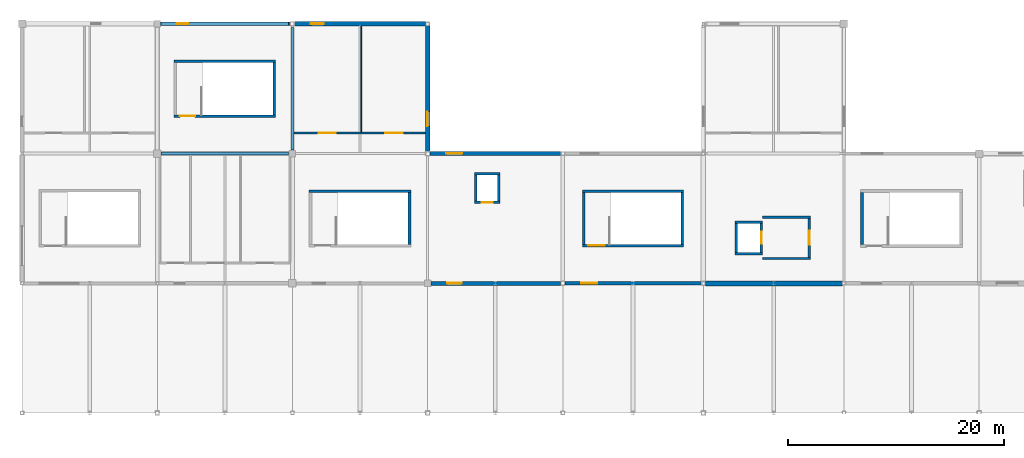
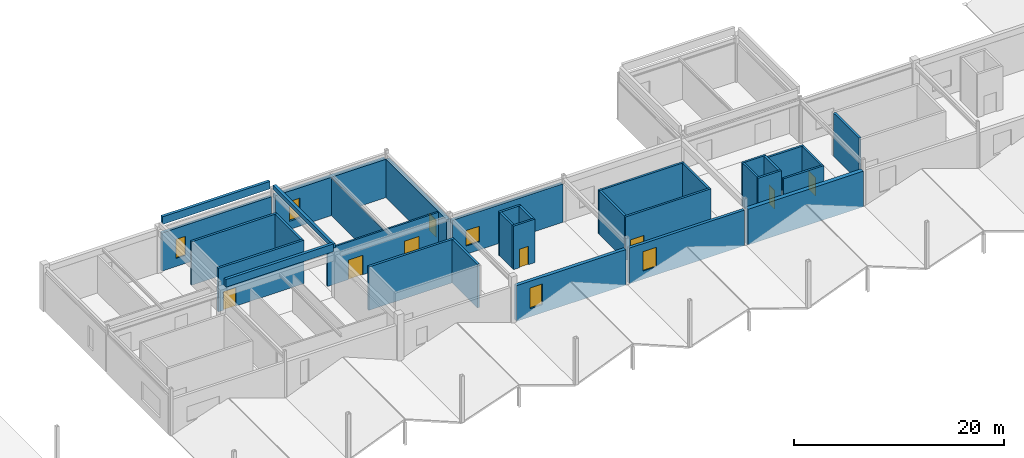
# One storey, part 70 of 76: 33 walls, 7 doors, 6 windows, 13 openings.
"""IFC4 building model written with IfcOpenShell, lengths in metres."""

from ifc_helpers import new_model, si_unit, direction, frame, frame_2d, origin, place, context, subcontext, project, spatial, rectangle, extrude, material, layer, layer_set, type_object, element, fill, save


model = new_model("IFC4")

# Units and contexts
model_context = context("Model", 3, precision=1e-05, world=origin(), true_north=direction((0.0, 1.0)))
body_context = subcontext(model_context, "Body", "Model", "MODEL_VIEW")
ifc_project = project(units=[si_unit("LENGTHUNIT", "METRE"), si_unit("AREAUNIT", "SQUARE_METRE"), si_unit("VOLUMEUNIT", "CUBIC_METRE"), si_unit("PLANEANGLEUNIT", "RADIAN"), si_unit("MASSUNIT", "GRAM", prefix="KILO")], contexts=[model_context])

# Site, building, storey
site_placement = place(None, origin())
site = spatial("IfcSite", under=ifc_project, at=site_placement, CompositionType="ELEMENT")
building_placement = place(site_placement, origin())
building = spatial("IfcBuilding", under=site, at=building_placement, Name="Kazenohara Klinker Stadium", CompositionType="ELEMENT")
storey_placement = place(building_placement, frame((0.0, 0.0, 25.800048828125)))
storey = spatial("IfcBuildingStorey", under=building, at=storey_placement, Name="L05", CompositionType="ELEMENT", Elevation=25.800048828125)

# Wall, opening, door
ifc_material_1 = material(Name="Concrete C40/50", Category="concrete")
ifc_layer_1 = layer(ifc_material_1, 0.22998046875)
ifc_layer_set_1 = layer_set([ifc_layer_1], Name="Concrete C40/50")
wall_type_1 = type_object("IfcWallType", Name="WAL-CORE-230", PredefinedType="SHEAR", material=ifc_layer_set_1)
wall_1_placement = place(storey_placement, frame((100.820068359375, 147.485107421875, 0.0), z_axis=(0.0, 0.0, 1.0), x_axis=(1.0, 0.0, 0.0)))
wall_1 = element("IfcWall", 1, at=wall_1_placement, inside=storey, type_object=wall_type_1, Name="Stairwell shear wall ST10 L05 South", PredefinedType="SHEAR", context=body_context, shape_type="SweptSolid", body=[
    extrude(rectangle(XDim=9.35986328125, YDim=0.22998046875, at=frame_2d((4.679931640625, 0.0))), origin(), (0.0, 0.0, 1.0), 5.0400390625),
])
opening_1_placement = place(wall_1_placement, frame((0.550048828125, 0.0, 0.0)))
opening_1 = element("IfcOpeningElement", 2, at=opening_1_placement, cuts=wall_1, Name="Opening SD02", PredefinedType="OPENING", context=body_context, shape_type="SweptSolid", body=[
    extrude(rectangle(XDim=1.5, YDim=2.199951171875, at=frame_2d((0.75, 1.10009765625))), frame((0.0, 0.125, 0.0), z_axis=(0.0, -1.0, 0.0), x_axis=(1.0, 0.0, 0.0)), (0.0, 0.0, 1.0), 0.25),
])
ifc_material_2 = material(Name="Flush painted steel fire door leaf", Category="steel")
door_type_1 = type_object("IfcDoorType", Name="DR-STR-1500x2200", OperationType="NOTDEFINED", PredefinedType="DOOR", material=ifc_material_2)
door_1_placement = place(opening_1_placement, origin())
door_1 = element("IfcDoor", 3, at=door_1_placement, inside=storey, type_object=door_type_1, Name="Escape stairwell fire door ST10-L05", OperationType="SINGLE_SWING_RIGHT", OverallHeight=2.199951171875, OverallWidth=1.5, PredefinedType="DOOR", context=body_context, shape_type="SweptSolid", body=[
    extrude(rectangle(XDim=1.5, YDim=2.199951171875, at=frame_2d((0.75, 1.10009765625))), frame((0.0, 0.02490234375, 0.0), z_axis=(0.0, -1.0, 0.0), x_axis=(1.0, 0.0, 0.0)), (0.0, 0.0, 1.0), 0.050048828125),
])
fill(opening_1, door_1)

# Walls
wall_2_placement = place(storey_placement, frame((100.820068359375, 152.514892578125, 0.0), z_axis=(0.0, 0.0, 1.0), x_axis=(1.0, 0.0, 0.0)))
element("IfcWall", 4, at=wall_2_placement, inside=storey, type_object=wall_type_1, Name="Stairwell shear wall ST10 L05 North", PredefinedType="SHEAR", context=body_context, shape_type="SweptSolid", body=[
    extrude(rectangle(XDim=9.35986328125, YDim=0.22998046875, at=frame_2d((4.679931640625, 0.0))), origin(), (0.0, 0.0, 1.0), 5.0400390625),
])
for number, where, z_axis, x_axis, name in (
    (5, (100.93505859375, 147.60009765625, 0.0), (0.0, 0.0, 1.0), (0.0, 1.0, 0.0), "Stairwell shear wall ST10 L05 West"),
    (6, (110.06494140625, 147.60009765625, 0.0), (0.0, 0.0, 1.0), (0.0, 1.0, 0.0), "Stairwell shear wall ST10 L05 East"),
):
    element("IfcWall", number, at=place(storey_placement, frame(where, z_axis=z_axis, x_axis=x_axis)), inside=storey, type_object=wall_type_1, Name=name, PredefinedType="SHEAR", context=body_context, shape_type="SweptSolid", body=[
        extrude(rectangle(XDim=4.7998046875, YDim=0.22998046875, at=frame_2d((2.39990234375, 0.0))), origin(), (0.0, 0.0, 1.0), 5.0400390625),
    ])
for number, where, z_axis, x_axis, name in (
    (7, (114.919921875, 146.735107421875, 0.0), (0.0, 0.0, 1.0), (1.0, 0.0, 0.0), "Elevator shaft wall LF04 L05 South"),
    (8, (114.919921875, 149.6650390625, 0.0), (0.0, 0.0, 1.0), (1.0, 0.0, 0.0), "Elevator shaft wall LF04 L05 North"),
):
    element("IfcWall", number, at=place(storey_placement, frame(where, z_axis=z_axis, x_axis=x_axis)), inside=storey, type_object=wall_type_1, Name=name, PredefinedType="SHEAR", context=body_context, shape_type="SweptSolid", body=[
        extrude(rectangle(XDim=2.56005859375, YDim=0.22998046875, at=frame_2d((1.280029296875, 0.0))), origin(), (0.0, 0.0, 1.0), 5.0400390625),
    ])
wall_3_placement = place(storey_placement, frame((115.034912109375, 146.85009765625, 0.0), z_axis=(0.0, 0.0, 1.0), x_axis=(0.0, 1.0, 0.0)))
element("IfcWall", 9, at=wall_3_placement, inside=storey, type_object=wall_type_1, Name="Elevator shaft wall LF04 L05 West", PredefinedType="SHEAR", context=body_context, shape_type="SweptSolid", body=[
    extrude(rectangle(XDim=2.699951171875, YDim=0.22998046875, at=frame_2d((1.35009765625, 0.0))), origin(), (0.0, 0.0, 1.0), 5.0400390625),
])

# Wall, opening, door
wall_4_placement = place(storey_placement, frame((117.364990234375, 146.85009765625, 0.0), z_axis=(0.0, 0.0, 1.0), x_axis=(0.0, 1.0, 0.0)))
wall_4 = element("IfcWall", 10, at=wall_4_placement, inside=storey, type_object=wall_type_1, Name="Elevator shaft wall LF04 L05 East", PredefinedType="SHEAR", context=body_context, shape_type="SweptSolid", body=[
    extrude(rectangle(XDim=2.699951171875, YDim=0.22998046875, at=frame_2d((1.35009765625, 0.0))), origin(), (0.0, 0.0, 1.0), 5.0400390625),
])
opening_2_placement = place(wall_4_placement, frame((0.800048828125, 0.0, 0.0)))
opening_2 = element("IfcOpeningElement", 11, at=opening_2_placement, cuts=wall_4, Name="Opening LD01", PredefinedType="OPENING", context=body_context, shape_type="SweptSolid", body=[
    extrude(rectangle(XDim=1.10009765625, YDim=2.14990234375, at=frame_2d((0.550048828125, 1.074951171875))), frame((0.0, 0.125, 0.0), z_axis=(0.0, -1.0, 0.0), x_axis=(1.0, 0.0, 0.0)), (0.0, 0.0, 1.0), 0.25),
])
ifc_material_3 = material(Name="Stainless steel fire-rated sliding landing door", Category="steel")
door_type_2 = type_object("IfcDoorType", Name="DR-LD01-1100x2150", OperationType="NOTDEFINED", PredefinedType="DOOR", material=ifc_material_3)
door_2_placement = place(opening_2_placement, origin())
door_2 = element("IfcDoor", 12, at=door_2_placement, inside=storey, type_object=door_type_2, Name="Elevator sliding landing door LF04-L05", OperationType="DOUBLE_DOOR_SLIDING", OverallHeight=2.14990234375, OverallWidth=1.10009765625, PredefinedType="DOOR", context=body_context, shape_type="SweptSolid", body=[
    extrude(rectangle(XDim=1.10009765625, YDim=2.14990234375, at=frame_2d((0.550048828125, 1.074951171875))), frame((0.0, 0.02490234375, 0.0), z_axis=(0.0, -1.0, 0.0), x_axis=(1.0, 0.0, 0.0)), (0.0, 0.0, 1.0), 0.050048828125),
])
fill(opening_2, door_2)

wall_5_placement = place(storey_placement, frame((90.820068359375, 151.485107421875, 0.0), z_axis=(0.0, 0.0, 1.0), x_axis=(1.0, 0.0, 0.0)))
wall_5 = element("IfcWall", 13, at=wall_5_placement, inside=storey, type_object=wall_type_1, Name="Elevator shaft wall LP04 L05 South", PredefinedType="SHEAR", context=body_context, shape_type="SweptSolid", body=[
    extrude(rectangle(XDim=2.35986328125, YDim=0.22998046875, at=frame_2d((1.179931640625, 0.0))), origin(), (0.0, 0.0, 1.0), 5.0400390625),
])
opening_3_placement = place(wall_5_placement, frame((0.679931640625, 0.0, 0.0)))
opening_3 = element("IfcOpeningElement", 14, at=opening_3_placement, cuts=wall_5, Name="Opening LD02", PredefinedType="OPENING", context=body_context, shape_type="SweptSolid", body=[
    extrude(rectangle(XDim=1.0, YDim=2.14990234375, at=frame_2d((0.5, 1.074951171875))), frame((0.0, 0.125, 0.0), z_axis=(0.0, -1.0, 0.0), x_axis=(1.0, 0.0, 0.0)), (0.0, 0.0, 1.0), 0.25),
])
ifc_material_4 = material(Name="Stainless steel sliding landing door", Category="steel")
door_type_3 = type_object("IfcDoorType", Name="DR-LD02-1000x2150", OperationType="NOTDEFINED", PredefinedType="DOOR", material=ifc_material_4)
door_3_placement = place(opening_3_placement, origin())
door_3 = element("IfcDoor", 15, at=door_3_placement, inside=storey, type_object=door_type_3, Name="Elevator sliding landing door LP04-L05", OperationType="DOUBLE_DOOR_SLIDING", OverallHeight=2.14990234375, OverallWidth=1.0, PredefinedType="DOOR", context=body_context, shape_type="SweptSolid", body=[
    extrude(rectangle(XDim=1.0, YDim=2.14990234375, at=frame_2d((0.5, 1.074951171875))), frame((0.0, 0.02490234375, 0.0), z_axis=(0.0, -1.0, 0.0), x_axis=(1.0, 0.0, 0.0)), (0.0, 0.0, 1.0), 0.050048828125),
])
fill(opening_3, door_3)

# Walls
wall_6_placement = place(storey_placement, frame((90.820068359375, 154.114990234375, 0.0), z_axis=(0.0, 0.0, 1.0), x_axis=(1.0, 0.0, 0.0)))
element("IfcWall", 16, at=wall_6_placement, inside=storey, type_object=wall_type_1, Name="Elevator shaft wall LP04 L05 North", PredefinedType="SHEAR", context=body_context, shape_type="SweptSolid", body=[
    extrude(rectangle(XDim=2.35986328125, YDim=0.22998046875, at=frame_2d((1.179931640625, 0.0))), origin(), (0.0, 0.0, 1.0), 5.0400390625),
])
for number, where, z_axis, x_axis, name in (
    (17, (90.93505859375, 151.60009765625, 0.0), (0.0, 0.0, 1.0), (0.0, 1.0, 0.0), "Elevator shaft wall LP04 L05 West"),
    (18, (93.06494140625, 151.60009765625, 0.0), (0.0, 0.0, 1.0), (0.0, 1.0, 0.0), "Elevator shaft wall LP04 L05 East"),
):
    element("IfcWall", number, at=place(storey_placement, frame(where, z_axis=z_axis, x_axis=x_axis)), inside=storey, type_object=wall_type_1, Name=name, PredefinedType="SHEAR", context=body_context, shape_type="SweptSolid", body=[
        extrude(rectangle(XDim=2.39990234375, YDim=0.22998046875, at=frame_2d((1.199951171875, 0.0))), origin(), (0.0, 0.0, 1.0), 5.0400390625),
    ])
ifc_layer_2 = layer(ifc_material_1, 0.25)
ifc_layer_set_2 = layer_set([ifc_layer_2], Name="Concrete C40/50")
wall_type_2 = type_object("IfcWallType", Name="WAL-CORE-250", PredefinedType="SHEAR", material=ifc_layer_set_2)
wall_7_placement = place(storey_placement, frame((75.550048828125, 152.514892578125, 0.0), z_axis=(0.0, 0.0, 1.0), x_axis=(1.0, 0.0, 0.0)))
element("IfcWall", 19, at=wall_7_placement, inside=storey, type_object=wall_type_2, Name="Stairwell shear wall ST09 L05 North", PredefinedType="SHEAR", context=body_context, shape_type="SweptSolid", body=[
    extrude(rectangle(XDim=9.39990234375, YDim=0.25, at=frame_2d((4.699951171875, 0.0))), origin(), (0.0, 0.0, 1.0), 5.0400390625),
])
wall_8_placement = place(storey_placement, frame((84.824951171875, 147.610107421875, 0.0), z_axis=(0.0, 0.0, 1.0), x_axis=(0.0, 1.0, 0.0)))
element("IfcWall", 20, at=wall_8_placement, inside=storey, type_object=wall_type_2, Name="Stairwell shear wall ST09 L05 East", PredefinedType="SHEAR", context=body_context, shape_type="SweptSolid", body=[
    extrude(rectangle(XDim=4.77978515625, YDim=0.25, at=frame_2d((2.389892578125, 0.0))), origin(), (0.0, 0.0, 1.0), 5.0400390625),
])
wall_9_placement = place(storey_placement, frame((126.675048828125, 147.580078125, 0.0), z_axis=(0.0, 0.0, 1.0), x_axis=(0.0, 1.0, 0.0)))
element("IfcWall", 21, at=wall_9_placement, inside=storey, type_object=wall_type_2, Name="Stairwell shear wall ST11 L05 West", PredefinedType="SHEAR", context=body_context, shape_type="SweptSolid", body=[
    extrude(rectangle(XDim=4.83984375, YDim=0.25, at=frame_2d((2.419921875, 0.0))), origin(), (0.0, 0.0, 1.0), 5.0400390625),
])

# Wall, opening, door
wall_10_placement = place(storey_placement, frame((63.050048828125, 159.455078125, 0.0), z_axis=(0.0, 0.0, 1.0), x_axis=(1.0, 0.0, 0.0)))
wall_10 = element("IfcWall", 22, at=wall_10_placement, inside=storey, type_object=wall_type_2, Name="Stairwell shear wall ST15 L05 South", PredefinedType="SHEAR", context=body_context, shape_type="SweptSolid", body=[
    extrude(rectangle(XDim=9.39990234375, YDim=0.25, at=frame_2d((4.699951171875, 0.0))), origin(), (0.0, 0.0, 1.0), 5.0400390625),
])
opening_4_placement = place(wall_10_placement, frame((0.550048828125, 0.0, 0.0)))
opening_4 = element("IfcOpeningElement", 23, at=opening_4_placement, cuts=wall_10, Name="Opening SD01", PredefinedType="OPENING", context=body_context, shape_type="SweptSolid", body=[
    extrude(rectangle(XDim=1.39990234375, YDim=2.14990234375, at=frame_2d((0.699951171875, 1.074951171875))), frame((0.0, 0.135009765625, 0.0), z_axis=(0.0, -1.0, 0.0), x_axis=(1.0, 0.0, 0.0)), (0.0, 0.0, 1.0), 0.27001953125),
])
door_type_4 = type_object("IfcDoorType", Name="DR-STR-1400x2150", OperationType="NOTDEFINED", PredefinedType="DOOR", material=ifc_material_2)
door_4_placement = place(opening_4_placement, origin())
door_4 = element("IfcDoor", 24, at=door_4_placement, inside=storey, type_object=door_type_4, Name="Escape stairwell fire door ST15-L05", OperationType="SINGLE_SWING_RIGHT", OverallHeight=2.14990234375, OverallWidth=1.39990234375, PredefinedType="DOOR", context=body_context, shape_type="SweptSolid", body=[
    extrude(rectangle(XDim=1.39990234375, YDim=2.14990234375, at=frame_2d((0.699951171875, 1.074951171875))), frame((0.0, 0.02490234375, 0.0), z_axis=(0.0, -1.0, 0.0), x_axis=(1.0, 0.0, 0.0)), (0.0, 0.0, 1.0), 0.050048828125),
])
fill(opening_4, door_4)

# Walls
wall_11_placement = place(storey_placement, frame((63.050048828125, 164.544921875, 0.0), z_axis=(0.0, 0.0, 1.0), x_axis=(1.0, 0.0, 0.0)))
element("IfcWall", 25, at=wall_11_placement, inside=storey, type_object=wall_type_2, Name="Stairwell shear wall ST15 L05 North", PredefinedType="SHEAR", context=body_context, shape_type="SweptSolid", body=[
    extrude(rectangle(XDim=9.39990234375, YDim=0.25, at=frame_2d((4.699951171875, 0.0))), origin(), (0.0, 0.0, 1.0), 5.0400390625),
])
wall_12_placement = place(storey_placement, frame((72.324951171875, 159.580078125, 0.0), z_axis=(0.0, 0.0, 1.0), x_axis=(0.0, 1.0, 0.0)))
element("IfcWall", 26, at=wall_12_placement, inside=storey, type_object=wall_type_2, Name="Stairwell shear wall ST15 L05 East", PredefinedType="SHEAR", context=body_context, shape_type="SweptSolid", body=[
    extrude(rectangle(XDim=4.83984375, YDim=0.25, at=frame_2d((2.419921875, 0.0))), origin(), (0.0, 0.0, 1.0), 5.0400390625),
])

# Wall, opening, window
ifc_material_5 = material(Name="Clinker brick masonry", Category="masonry")
ifc_layer_3 = layer(ifc_material_5, 0.31005859375)
ifc_layer_set_3 = layer_set([ifc_layer_3], Name="Clinker brick masonry")
wall_type_3 = type_object("IfcWallType", Name="WAL-EXT-CB310", PredefinedType="SOLIDWALL", material=ifc_layer_set_3)
wall_13_placement = place(storey_placement, frame((61.803955078125, 168.0, 0.0), z_axis=(0.0, 0.0, 1.0), x_axis=(1.0, 0.0, 0.0)))
wall_13 = element("IfcWall", 27, at=wall_13_placement, inside=storey, type_object=wall_type_3, Name="Clinker brick cavity wall EW05 L05 X5-14", PredefinedType="SOLIDWALL", context=body_context, shape_type="SweptSolid", body=[
    extrude(rectangle(XDim=11.991943359375, YDim=0.31005859375, at=frame_2d((5.99609375, 0.0))), origin(), (0.0, 0.0, 1.0), 4.43994140625),
])
opening_5_placement = place(wall_13_placement, frame((1.5, 0.0, 0.949951171875)))
opening_5 = element("IfcOpeningElement", 28, at=opening_5_placement, cuts=wall_13, Name="Opening W04", PredefinedType="OPENING", context=body_context, shape_type="SweptSolid", body=[
    extrude(rectangle(XDim=1.050048828125, YDim=2.199951171875, at=frame_2d((0.52490234375, 1.10009765625))), frame((0.0, 0.1650390625, 0.0), z_axis=(0.0, -1.0, 0.0), x_axis=(1.0, 0.0, 0.0)), (0.0, 0.0, 1.0), 0.330078125),
])
ifc_material_6 = material(Name="Dark bronze aluminium frame and triple glazing", Category="aluminium")
window_type_1 = type_object("IfcWindowType", Name="WIN-AS-04", PartitioningType="SINGLE_PANEL", PredefinedType="WINDOW", material=ifc_material_6)
window_1_placement = place(opening_5_placement, origin())
window_1 = element("IfcWindow", 29, at=window_1_placement, inside=storey, type_object=window_type_1, Name="Horizontal-mullion ladder window W04 L05 X5-14", OverallHeight=2.199951171875, OverallWidth=1.050048828125, PartitioningType="SINGLE_PANEL", PredefinedType="WINDOW", context=body_context, shape_type="SweptSolid", body=[
    extrude(rectangle(XDim=1.050048828125, YDim=2.199951171875, at=frame_2d((0.52490234375, 1.10009765625))), frame((0.0, 0.030029296875, 0.0), z_axis=(0.0, -1.0, 0.0), x_axis=(1.0, 0.0, 0.0)), (0.0, 0.0, 1.0), 0.06005859375),
])
fill(opening_5, window_1)

wall_14_placement = place(storey_placement, frame((99.2041015625, 144.0, 0.0), z_axis=(0.0, 0.0, 1.0), x_axis=(1.0, 0.0, 0.0)))
wall_14 = element("IfcWall", 30, at=wall_14_placement, inside=storey, type_object=wall_type_3, Name="Clinker brick cavity wall EW05 L05 X8-12", PredefinedType="SOLIDWALL", context=body_context, shape_type="SweptSolid", body=[
    extrude(rectangle(XDim=12.616943359375, YDim=0.31005859375, at=frame_2d((6.30859375, 0.0))), origin(), (0.0, 0.0, 1.0), 4.1298828125),
])
opening_6_placement = place(wall_14_placement, frame((1.5, 0.0, 0.949951171875)))
opening_6 = element("IfcOpeningElement", 31, at=opening_6_placement, cuts=wall_14, Name="Opening W10", PredefinedType="OPENING", context=body_context, shape_type="SweptSolid", body=[
    extrude(rectangle(XDim=1.5, YDim=2.25, at=frame_2d((0.75, 1.125))), frame((0.0, 0.1650390625, 0.0), z_axis=(0.0, -1.0, 0.0), x_axis=(1.0, 0.0, 0.0)), (0.0, 0.0, 1.0), 0.330078125),
])
window_type_2 = type_object("IfcWindowType", Name="WIN-AS-10", PartitioningType="SINGLE_PANEL", PredefinedType="WINDOW", material=ifc_material_6)
window_2_placement = place(opening_6_placement, origin())
window_2 = element("IfcWindow", 32, at=window_2_placement, inside=storey, type_object=window_type_2, Name="Horizontal-mullion ladder window W10 L05 X8-12", OverallHeight=2.25, OverallWidth=1.5, PartitioningType="SINGLE_PANEL", PredefinedType="WINDOW", context=body_context, shape_type="SweptSolid", body=[
    extrude(rectangle(XDim=1.5, YDim=2.25, at=frame_2d((0.75, 1.125))), frame((0.0, 0.030029296875, 0.0), z_axis=(0.0, -1.0, 0.0), x_axis=(1.0, 0.0, 0.0)), (0.0, 0.0, 1.0), 0.06005859375),
])
fill(opening_6, window_2)

# Walls
for number, where, z_axis, x_axis, name in (
    (33, (61.85009765625, 156.0, 5.39990234375), (0.0, 0.0, 1.0), (1.0, 0.0, 0.0), "Turret crown klinker wall EW05 NBST-05-S"),
    (34, (61.85009765625, 168.0, 5.39990234375), (0.0, 0.0, 1.0), (1.0, 0.0, 0.0), "Turret crown klinker wall EW05 NBST-05-N"),
):
    element("IfcWall", number, at=place(storey_placement, frame(where, z_axis=z_axis, x_axis=x_axis)), inside=storey, type_object=wall_type_3, Name=name, PredefinedType="SOLIDWALL", context=body_context, shape_type="SweptSolid", body=[
        extrude(rectangle(XDim=11.7998046875, YDim=0.31005859375, at=frame_2d((5.89990234375, 0.0))), origin(), (0.0, 0.0, 1.0), 0.880126953125),
    ])
wall_15_placement = place(storey_placement, frame((74.0, 156.35009765625, 5.39990234375), z_axis=(0.0, 0.0, 1.0), x_axis=(0.0, 1.0, 0.0)))
element("IfcWall", 35, at=wall_15_placement, inside=storey, type_object=wall_type_3, Name="Turret crown klinker wall EW05 NBST-05-E", PredefinedType="SOLIDWALL", context=body_context, shape_type="SweptSolid", body=[
    extrude(rectangle(XDim=11.2998046875, YDim=0.31005859375, at=frame_2d((5.64990234375, 0.0))), origin(), (0.0, 0.0, 1.0), 0.47998046875),
])

# Wall, opening, window
ifc_layer_4 = layer(ifc_material_5, 0.340087890625)
ifc_layer_set_4 = layer_set([ifc_layer_4], Name="Clinker brick masonry")
wall_type_4 = type_object("IfcWallType", Name="WAL-EXT-CB340", PredefinedType="SOLIDWALL", material=ifc_layer_set_4)
wall_16_placement = place(storey_placement, frame((86.7041015625, 156.0, 0.0), z_axis=(0.0, 0.0, 1.0), x_axis=(1.0, 0.0, 0.0)))
wall_16 = element("IfcWall", 36, at=wall_16_placement, inside=storey, type_object=wall_type_4, Name="Clinker brick cavity wall EW04 L05 X7-13", PredefinedType="SOLIDWALL", context=body_context, shape_type="SweptSolid", body=[
    extrude(rectangle(XDim=12.116943359375, YDim=0.340087890625, at=frame_2d((6.05859375, 0.0))), origin(), (0.0, 0.0, 1.0), 4.451904296875),
])
opening_7_placement = place(wall_16_placement, frame((1.5, 0.0, 0.949951171875)))
opening_7 = element("IfcOpeningElement", 37, at=opening_7_placement, cuts=wall_16, Name="Opening W09", PredefinedType="OPENING", context=body_context, shape_type="SweptSolid", body=[
    extrude(rectangle(XDim=1.5, YDim=1.800048828125, at=frame_2d((0.75, 0.89990234375))), frame((0.0, 0.18017578125, 0.0), z_axis=(0.0, -1.0, 0.0), x_axis=(1.0, 0.0, 0.0)), (0.0, 0.0, 1.0), 0.360107421875),
])
window_type_3 = type_object("IfcWindowType", Name="WIN-AS-09", PartitioningType="SINGLE_PANEL", PredefinedType="WINDOW", material=ifc_material_6)
window_3_placement = place(opening_7_placement, origin())
window_3 = element("IfcWindow", 38, at=window_3_placement, inside=storey, type_object=window_type_3, Name="Horizontal-mullion ladder window W09 L05 X7-13", OverallHeight=1.800048828125, OverallWidth=1.5, PartitioningType="SINGLE_PANEL", PredefinedType="WINDOW", context=body_context, shape_type="SweptSolid", body=[
    extrude(rectangle(XDim=1.5, YDim=1.800048828125, at=frame_2d((0.75, 0.89990234375))), frame((0.0, 0.030029296875, 0.0), z_axis=(0.0, -1.0, 0.0), x_axis=(1.0, 0.0, 0.0)), (0.0, 0.0, 1.0), 0.06005859375),
])
fill(opening_7, window_3)

ifc_layer_5 = layer(ifc_material_5, 0.3701171875)
ifc_layer_set_5 = layer_set([ifc_layer_5], Name="Clinker brick masonry")
wall_type_5 = type_object("IfcWallType", Name="WAL-EXT-CB370", PredefinedType="SOLIDWALL", material=ifc_layer_set_5)
wall_17_placement = place(storey_placement, frame((86.803955078125, 144.0, 0.0), z_axis=(0.0, 0.0, 1.0), x_axis=(1.0, 0.0, 0.0)))
wall_17 = element("IfcWall", 39, at=wall_17_placement, inside=storey, type_object=wall_type_5, Name="Clinker brick cavity wall EW03 L05 X7-12", PredefinedType="SOLIDWALL", context=body_context, shape_type="SweptSolid", body=[
    extrude(rectangle(XDim=11.991943359375, YDim=0.3701171875, at=frame_2d((5.99609375, 0.0))), origin(), (0.0, 0.0, 1.0), 4.1298828125),
])
opening_8_placement = place(wall_17_placement, frame((1.5, 0.0, 0.949951171875)))
opening_8 = element("IfcOpeningElement", 40, at=opening_8_placement, cuts=wall_17, Name="Opening W08", PredefinedType="OPENING", context=body_context, shape_type="SweptSolid", body=[
    extrude(rectangle(XDim=1.35009765625, YDim=2.39990234375, at=frame_2d((0.675048828125, 1.199951171875))), frame((0.0, 0.195068359375, 0.0), z_axis=(0.0, -1.0, 0.0), x_axis=(1.0, 0.0, 0.0)), (0.0, 0.0, 1.0), 0.39013671875),
])
window_type_4 = type_object("IfcWindowType", Name="WIN-AS-08", PartitioningType="SINGLE_PANEL", PredefinedType="WINDOW", material=ifc_material_6)
window_4_placement = place(opening_8_placement, origin())
window_4 = element("IfcWindow", 41, at=window_4_placement, inside=storey, type_object=window_type_4, Name="Horizontal-mullion ladder window W08 L05 X7-12", OverallHeight=2.39990234375, OverallWidth=1.35009765625, PartitioningType="SINGLE_PANEL", PredefinedType="WINDOW", context=body_context, shape_type="SweptSolid", body=[
    extrude(rectangle(XDim=1.35009765625, YDim=2.39990234375, at=frame_2d((0.675048828125, 1.199951171875))), frame((0.0, 0.030029296875, 0.0), z_axis=(0.0, -1.0, 0.0), x_axis=(1.0, 0.0, 0.0)), (0.0, 0.0, 1.0), 0.06005859375),
])
fill(opening_8, window_4)

ifc_layer_6 = layer(ifc_material_5, 0.409912109375)
ifc_layer_set_6 = layer_set([ifc_layer_6], Name="Clinker brick masonry")
wall_type_6 = type_object("IfcWallType", Name="WAL-EXT-CB410", PredefinedType="SOLIDWALL", material=ifc_layer_set_6)
wall_18_placement = place(storey_placement, frame((86.5, 156.2041015625, 0.0), z_axis=(0.0, 0.0, 1.0), x_axis=(0.0, 1.0, 0.0)))
wall_18 = element("IfcWall", 42, at=wall_18_placement, inside=storey, type_object=wall_type_6, Name="Clinker brick cavity wall EW02 L05 Y7-13", PredefinedType="SOLIDWALL", context=body_context, shape_type="SweptSolid", body=[
    extrude(rectangle(XDim=11.616943359375, YDim=0.409912109375, at=frame_2d((5.80859375, 0.0))), origin(), (0.0, 0.0, 1.0), 4.451904296875),
])
opening_9_placement = place(wall_18_placement, frame((2.31591796875, 0.0, 0.949951171875)))
opening_9 = element("IfcOpeningElement", 43, at=opening_9_placement, cuts=wall_18, Name="Opening W07", PredefinedType="OPENING", context=body_context, shape_type="SweptSolid", body=[
    extrude(rectangle(XDim=1.35009765625, YDim=2.0, at=frame_2d((0.675048828125, 1.0))), frame((0.0, 0.21484375, 0.0), z_axis=(0.0, -1.0, 0.0), x_axis=(1.0, 0.0, 0.0)), (0.0, 0.0, 1.0), 0.429931640625),
])
window_type_5 = type_object("IfcWindowType", Name="WIN-AS-07", PartitioningType="SINGLE_PANEL", PredefinedType="WINDOW", material=ifc_material_6)
window_5_placement = place(opening_9_placement, origin())
window_5 = element("IfcWindow", 44, at=window_5_placement, inside=storey, type_object=window_type_5, Name="Horizontal-mullion ladder window W07 L05 Y7-13", OverallHeight=2.0, OverallWidth=1.35009765625, PartitioningType="SINGLE_PANEL", PredefinedType="WINDOW", context=body_context, shape_type="SweptSolid", body=[
    extrude(rectangle(XDim=1.35009765625, YDim=2.0, at=frame_2d((0.675048828125, 1.0))), frame((0.0, 0.030029296875, 0.0), z_axis=(0.0, -1.0, 0.0), x_axis=(1.0, 0.0, 0.0)), (0.0, 0.0, 1.0), 0.06005859375),
])
fill(opening_9, window_5)

ifc_layer_7 = layer(ifc_material_5, 0.449951171875)
ifc_layer_set_7 = layer_set([ifc_layer_7], Name="Clinker brick masonry")
wall_type_7 = type_object("IfcWallType", Name="WAL-EXT-CB450", PredefinedType="SOLIDWALL", material=ifc_layer_set_7)
wall_19_placement = place(storey_placement, frame((74.2041015625, 168.0, 0.0), z_axis=(0.0, 0.0, 1.0), x_axis=(1.0, 0.0, 0.0)))
wall_19 = element("IfcWall", 45, at=wall_19_placement, inside=storey, type_object=wall_type_7, Name="Clinker brick cavity wall EW01 L05 X6-14", PredefinedType="SOLIDWALL", context=body_context, shape_type="SweptSolid", body=[
    extrude(rectangle(XDim=12.116943359375, YDim=0.449951171875, at=frame_2d((6.05859375, 0.0))), origin(), (0.0, 0.0, 1.0), 4.451904296875),
])
opening_10_placement = place(wall_19_placement, frame((1.5, 0.0, 0.949951171875)))
opening_10 = element("IfcOpeningElement", 46, at=opening_10_placement, cuts=wall_19, Name="Opening W06", PredefinedType="OPENING", context=body_context, shape_type="SweptSolid", body=[
    extrude(rectangle(XDim=1.199951171875, YDim=2.300048828125, at=frame_2d((0.60009765625, 1.14990234375))), frame((0.0, 0.23486328125, 0.0), z_axis=(0.0, -1.0, 0.0), x_axis=(1.0, 0.0, 0.0)), (0.0, 0.0, 1.0), 0.469970703125),
])
window_type_6 = type_object("IfcWindowType", Name="WIN-AS-06", PartitioningType="SINGLE_PANEL", PredefinedType="WINDOW", material=ifc_material_6)
window_6_placement = place(opening_10_placement, origin())
window_6 = element("IfcWindow", 47, at=window_6_placement, inside=storey, type_object=window_type_6, Name="Horizontal-mullion ladder window W06 L05 X6-14", OverallHeight=2.300048828125, OverallWidth=1.199951171875, PartitioningType="SINGLE_PANEL", PredefinedType="WINDOW", context=body_context, shape_type="SweptSolid", body=[
    extrude(rectangle(XDim=1.199951171875, YDim=2.300048828125, at=frame_2d((0.60009765625, 1.14990234375))), frame((0.0, 0.030029296875, 0.0), z_axis=(0.0, -1.0, 0.0), x_axis=(1.0, 0.0, 0.0)), (0.0, 0.0, 1.0), 0.06005859375),
])
fill(opening_10, window_6)

# Walls
wall_20_placement = place(storey_placement, frame((112.178955078125, 144.0, 0.0), z_axis=(0.0, 0.0, 1.0), x_axis=(1.0, 0.0, 0.0)))
element("IfcWall", 48, at=wall_20_placement, inside=storey, type_object=wall_type_7, Name="Clinker brick cavity wall EW01 L05 X9-12", PredefinedType="SOLIDWALL", context=body_context, shape_type="SweptSolid", body=[
    extrude(rectangle(XDim=12.6669921875, YDim=0.449951171875, at=frame_2d((6.33349609375, 0.0))), origin(), (0.0, 0.0, 1.0), 4.1298828125),
])
ifc_layer_8 = layer(ifc_material_1, 0.219970703125)
ifc_layer_set_8 = layer_set([ifc_layer_8], Name="Concrete C40/50")
wall_type_8 = type_object("IfcWallType", Name="WAL-INT-FF220", PredefinedType="SOLIDWALL", material=ifc_layer_set_8)
for number, where, z_axis, x_axis, name in (
    (49, (117.47998046875, 146.2900390625, 0.0), (0.0, 0.0, 1.0), (1.0, 0.0, 0.0), "Firefighting lobby wall LF04 L05 South"),
    (50, (117.47998046875, 150.110107421875, 0.0), (0.0, 0.0, 1.0), (1.0, 0.0, 0.0), "Firefighting lobby wall LF04 L05 North"),
):
    element("IfcWall", number, at=place(storey_placement, frame(where, z_axis=z_axis, x_axis=x_axis)), inside=storey, type_object=wall_type_8, Name=name, PredefinedType="SOLIDWALL", context=body_context, shape_type="SweptSolid", body=[
        extrude(rectangle(XDim=4.419921875, YDim=0.219970703125, at=frame_2d((2.2099609375, 0.0))), origin(), (0.0, 0.0, 1.0), 4.349853515625),
    ])

# Wall, opening, door
wall_21_placement = place(storey_placement, frame((121.7900390625, 146.39990234375, 0.0), z_axis=(0.0, 0.0, 1.0), x_axis=(0.0, 1.0, 0.0)))
wall_21 = element("IfcWall", 51, at=wall_21_placement, inside=storey, type_object=wall_type_8, Name="Firefighting lobby front wall LF04 L05", PredefinedType="SOLIDWALL", context=body_context, shape_type="SweptSolid", body=[
    extrude(rectangle(XDim=3.60009765625, YDim=0.219970703125, at=frame_2d((1.800048828125, 0.0))), origin(), (0.0, 0.0, 1.0), 4.349853515625),
])
opening_11_placement = place(wall_21_placement, frame((1.14990234375, 0.0, 0.0)))
opening_11 = element("IfcOpeningElement", 52, at=opening_11_placement, cuts=wall_21, Name="Opening FD01", PredefinedType="OPENING", context=body_context, shape_type="SweptSolid", body=[
    extrude(rectangle(XDim=1.300048828125, YDim=2.14990234375, at=frame_2d((0.64990234375, 1.074951171875))), frame((0.0, 0.1201171875, 0.0), z_axis=(0.0, -1.0, 0.0), x_axis=(1.0, 0.0, 0.0)), (0.0, 0.0, 1.0), 0.239990234375),
])
ifc_material_7 = material(Name="Smoke-sealed steel fire lobby door", Category="steel")
door_type_5 = type_object("IfcDoorType", Name="DR-FFL-1300x2150", OperationType="NOTDEFINED", PredefinedType="DOOR", material=ifc_material_7)
door_5_placement = place(opening_11_placement, origin())
door_5 = element("IfcDoor", 53, at=door_5_placement, inside=storey, type_object=door_type_5, Name="Firefighting lobby smoke-sealed door LF04-L05", OperationType="SINGLE_SWING_RIGHT", OverallHeight=2.14990234375, OverallWidth=1.300048828125, PredefinedType="DOOR", context=body_context, shape_type="SweptSolid", body=[
    extrude(rectangle(XDim=1.300048828125, YDim=2.14990234375, at=frame_2d((0.64990234375, 1.074951171875))), frame((0.0, 0.02490234375, 0.0), z_axis=(0.0, -1.0, 0.0), x_axis=(1.0, 0.0, 0.0)), (0.0, 0.0, 1.0), 0.050048828125),
])
fill(opening_11, door_5)

# Wall
ifc_material_8 = material(Name="Fire-rated gypsum board on acoustic studs", Category="gypsum")
ifc_layer_9 = layer(ifc_material_8, 0.110107421875)
ifc_layer_set_9 = layer_set([ifc_layer_9], Name="Fire-rated gypsum board on acoustic studs")
wall_type_9 = type_object("IfcWallType", Name="WAL-INT-P110", PredefinedType="PARTITIONING", material=ifc_layer_set_9)
wall_22_placement = place(storey_placement, frame((80.371826171875, 157.989990234375, 0.0), z_axis=(0.0, 0.0, 1.0), x_axis=(0.0, 1.0, 0.0)))
element("IfcWall", 54, at=wall_22_placement, inside=storey, type_object=wall_type_9, Name="Interior partition wall PT01 SPC-L05-06-13-1-2", PredefinedType="PARTITIONING", context=body_context, shape_type="SweptSolid", body=[
    extrude(rectangle(XDim=9.782958984375, YDim=0.110107421875, at=frame_2d((4.8916015625, 0.0))), origin(), (0.0, 0.0, 1.0), 4.349853515625),
])

# Wall, openings, doors
ifc_layer_10 = layer(ifc_material_8, 0.18994140625)
ifc_layer_set_10 = layer_set([ifc_layer_10], Name="Fire-rated gypsum board on acoustic studs")
wall_type_10 = type_object("IfcWallType", Name="WAL-INT-P190", PredefinedType="PARTITIONING", material=ifc_layer_set_10)
wall_23_placement = place(storey_placement, frame((74.156982421875, 157.889892578125, 0.0), z_axis=(0.0, 0.0, 1.0), x_axis=(1.0, 0.0, 0.0)))
wall_23 = element("IfcWall", 55, at=wall_23_placement, inside=storey, type_object=wall_type_10, Name="Interior partition wall PT06 SPC-L05-06-13-1-1", PredefinedType="PARTITIONING", context=body_context, shape_type="SweptSolid", body=[
    extrude(rectangle(XDim=12.135986328125, YDim=0.18994140625, at=frame_2d((6.06787109375, 0.0))), origin(), (0.0, 0.0, 1.0), 4.349853515625),
])
opening_12_placement = place(wall_23_placement, frame((2.288818359375, 0.0, 0.0)))
opening_12 = element("IfcOpeningElement", 56, at=opening_12_placement, cuts=wall_23, Name="Opening ID22", PredefinedType="OPENING", context=body_context, shape_type="SweptSolid", body=[
    extrude(rectangle(XDim=1.56005859375, YDim=2.260009765625, at=frame_2d((0.780029296875, 1.1298828125))), frame((0.0, 0.10498046875, 0.0), z_axis=(0.0, -1.0, 0.0), x_axis=(1.0, 0.0, 0.0)), (0.0, 0.0, 1.0), 0.2099609375),
])
opening_13_placement = place(wall_23_placement, frame((8.43896484375, 0.0, 0.0)))
opening_13 = element("IfcOpeningElement", 57, at=opening_13_placement, cuts=wall_23, Name="Opening ID23", PredefinedType="OPENING", context=body_context, shape_type="SweptSolid", body=[
    extrude(rectangle(XDim=1.60009765625, YDim=2.300048828125, at=frame_2d((0.800048828125, 1.14990234375))), frame((0.0, 0.10498046875, 0.0), z_axis=(0.0, -1.0, 0.0), x_axis=(1.0, 0.0, 0.0)), (0.0, 0.0, 1.0), 0.2099609375),
])
ifc_material_9 = material(Name="Painted steel plant fire door", Category="steel")
door_type_6 = type_object("IfcDoorType", Name="DR-INT-22", OperationType="NOTDEFINED", PredefinedType="DOOR", material=ifc_material_9)
door_6_placement = place(opening_12_placement, origin())
door_6 = element("IfcDoor", 58, at=door_6_placement, inside=storey, type_object=door_type_6, Name="Interior door ID22 Written Press Tribune Media Workroom L05-0613A", OperationType="SINGLE_SWING_LEFT", OverallHeight=2.260009765625, OverallWidth=1.56005859375, PredefinedType="DOOR", context=body_context, shape_type="SweptSolid", body=[
    extrude(rectangle(XDim=1.56005859375, YDim=2.260009765625, at=frame_2d((0.780029296875, 1.1298828125))), frame((0.0, 0.02490234375, 0.0), z_axis=(0.0, -1.0, 0.0), x_axis=(1.0, 0.0, 0.0)), (0.0, 0.0, 1.0), 0.050048828125),
])
fill(opening_12, door_6)
door_type_7 = type_object("IfcDoorType", Name="DR-INT-23", OperationType="NOTDEFINED", PredefinedType="DOOR", material=ifc_material_9)
door_7_placement = place(opening_13_placement, origin())
door_7 = element("IfcDoor", 59, at=door_7_placement, inside=storey, type_object=door_type_7, Name="Interior door ID23 North Scoreboard Video Control Studio L05-0613B", OperationType="SINGLE_SWING_RIGHT", OverallHeight=2.300048828125, OverallWidth=1.60009765625, PredefinedType="DOOR", context=body_context, shape_type="SweptSolid", body=[
    extrude(rectangle(XDim=1.60009765625, YDim=2.300048828125, at=frame_2d((0.800048828125, 1.14990234375))), frame((0.0, 0.02490234375, 0.0), z_axis=(0.0, -1.0, 0.0), x_axis=(1.0, 0.0, 0.0)), (0.0, 0.0, 1.0), 0.050048828125),
])
fill(opening_13, door_7)

save(model, "model.ifc")
